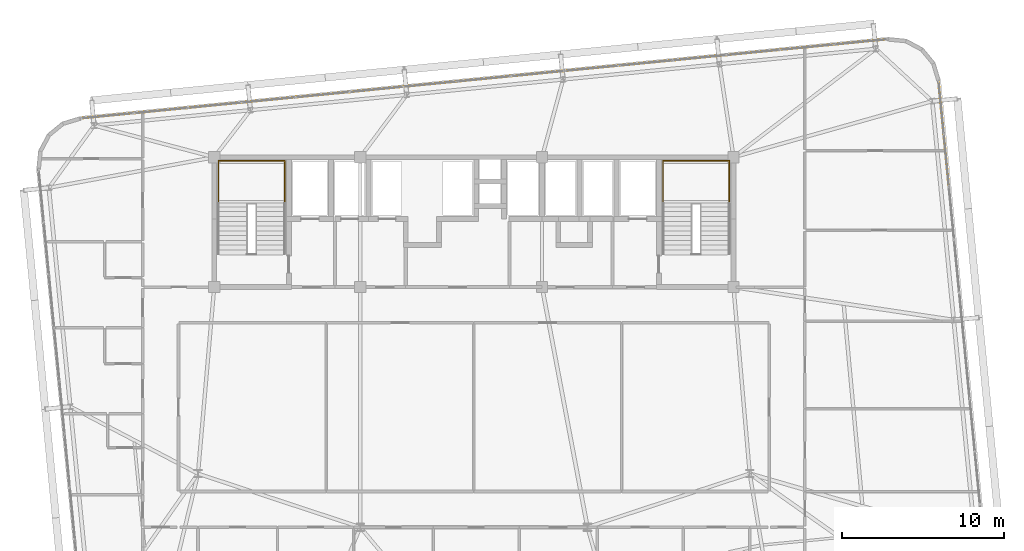
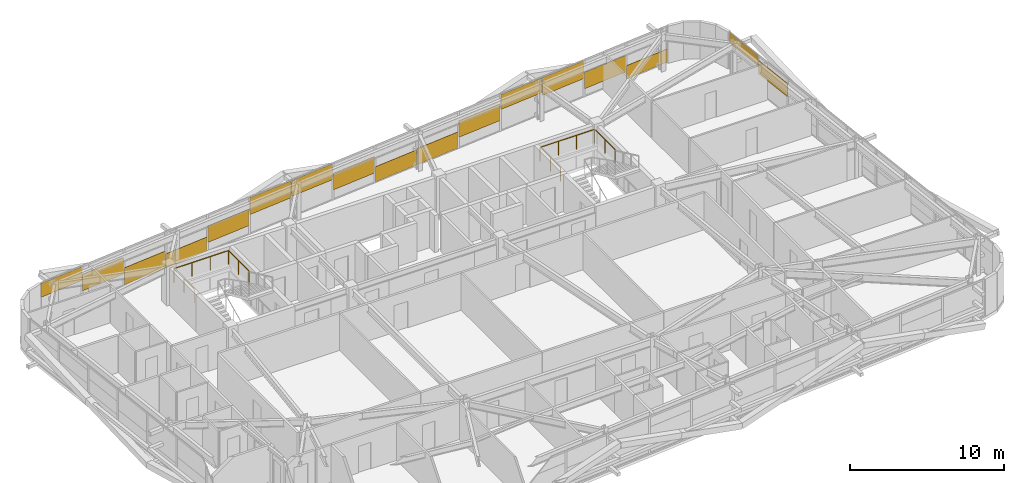
# One storey, part 53 of 53: 17 coverings, 2 railings.
"""IFC4 building model written with IfcOpenShell, lengths in metres."""

from ifc_helpers import new_model, si_unit, direction, frame, origin, origin_2d, place, context, subcontext, project, spatial, rectangle, extrude, source, transform, mapped, material, layer, layer_set, type_object, element, save


model = new_model("IFC4")

# Units and contexts
model_context = context("Model", 3, precision=1e-05, world=origin(), true_north=direction((0.0, 1.0)))
body_context = subcontext(model_context, "Body", "Model", "MODEL_VIEW")
ifc_project = project(units=[si_unit("LENGTHUNIT", "METRE"), si_unit("AREAUNIT", "SQUARE_METRE"), si_unit("VOLUMEUNIT", "CUBIC_METRE"), si_unit("PLANEANGLEUNIT", "RADIAN"), si_unit("MASSUNIT", "GRAM", prefix="KILO")], contexts=[model_context])

# Site, building, storey
site_placement = place(None, origin())
site = spatial("IfcSite", under=ifc_project, at=site_placement, CompositionType="ELEMENT")
building_placement = place(site_placement, origin())
building = spatial("IfcBuilding", under=site, at=building_placement, Name="Taldren Reach Tower", CompositionType="ELEMENT")
storey_placement = place(building_placement, frame((0.0, 0.0, 71.39990234375)))
storey = spatial("IfcBuildingStorey", under=building, at=storey_placement, Name="L21", CompositionType="ELEMENT", Elevation=71.39990234375)

# Railings
ifc_material_1 = material(Name="Steel Gr 350 (C350L0)", Category="steel")
ifc_layer_1 = layer(ifc_material_1, 0.050048828125)
ifc_layer_set_1 = layer_set([ifc_layer_1], Name="Steel Gr 350 (C350L0)")
railing_type = type_object("IfcRailingType", Name="RL-STAIR-GR", PredefinedType="GUARDRAIL", material=ifc_layer_set_1)
for number, where, name in (
    (1, (19.260009765625, 29.135009765625, 1.5751953125), "Stair half-landing perimeter guard ST1-L21"),
    (2, (46.659912109375, 29.135009765625, 1.5751953125), "Stair half-landing perimeter guard ST2-L21"),
):
    element("IfcRailing", number, at=place(storey_placement, frame(where)), inside=storey, type_object=railing_type, Name=name, PredefinedType="GUARDRAIL", context=body_context, shape_type="SweptSolid", body=[
        extrude(rectangle(XDim=0.047852, YDim=0.047852, at=origin_2d()), frame((0.0, 0.0, 1.09619140625), z_axis=(0.0, 1.0, 0.0), x_axis=(-1.0, 0.0, 0.0)), (0.0, 0.0, 1.0), 2.64501953125),
        extrude(rectangle(XDim=0.047852, YDim=0.047852, at=origin_2d()), frame((0.0, 2.64501953125, 1.09619140625), z_axis=(1.0, 0.0, 0.0), x_axis=(0.0, 1.0, 0.0)), (0.0, 0.0, 1.0), 4.080078125),
        extrude(rectangle(XDim=0.047852, YDim=0.047852, at=origin_2d()), frame((4.080078125, 2.64501953125, 1.09619140625), z_axis=(0.0, -1.0, 0.0), x_axis=(1.0, 0.0, 0.0)), (0.0, 0.0, 1.0), 2.64501953125),
        extrude(rectangle(XDim=0.041992, YDim=0.041992, at=origin_2d()), origin(), (0.0, 0.0, 1.0), 1.072021484375),
        extrude(rectangle(XDim=0.041992, YDim=0.041992, at=origin_2d()), frame((0.0, 1.322509765625, 0.0)), (0.0, 0.0, 1.0), 1.072021484375),
        extrude(rectangle(XDim=0.041992, YDim=0.041992, at=origin_2d()), frame((0.0, 2.64501953125, 0.0)), (0.0, 0.0, 1.0), 1.072021484375),
        extrude(rectangle(XDim=0.041992, YDim=0.041992, at=origin_2d()), frame((1.360107421875, 2.64501953125, 0.0)), (0.0, 0.0, 1.0), 1.072021484375),
        extrude(rectangle(XDim=0.041992, YDim=0.041992, at=origin_2d()), frame((2.719970703125, 2.64501953125, 0.0)), (0.0, 0.0, 1.0), 1.072021484375),
        extrude(rectangle(XDim=0.041992, YDim=0.041992, at=origin_2d()), frame((4.080078125, 2.64501953125, 0.0)), (0.0, 0.0, 1.0), 1.072021484375),
        extrude(rectangle(XDim=0.041992, YDim=0.041992, at=origin_2d()), frame((4.080078125, 1.322509765625, 0.0)), (0.0, 0.0, 1.0), 1.072021484375),
        extrude(rectangle(XDim=0.041992, YDim=0.041992, at=origin_2d()), frame((4.080078125, 0.0, 0.0)), (0.0, 0.0, 1.0), 1.072021484375),
    ])

# Coverings
ifc_material_2 = material(Name="Pale Champagne Fluoropolymer Aluminium Spandrel Cladding", Category="aluminium")
ifc_layer_2 = layer(ifc_material_2, 0.0439453125)
ifc_layer_set_2 = layer_set([ifc_layer_2], Name="Pale Champagne Fluoropolymer Aluminium Spandrel Cladding")
covering_type = type_object("IfcCoveringType", Name="CV-CLAD-044", PredefinedType="CLADDING", material=ifc_layer_set_2)
shared_shape_1 = source(origin(), body_context, "Body", "SweptSolid", [
    extrude(rectangle(XDim=3.23583984375, YDim=0.0439453125, at=origin_2d()), origin(), (0.0, 0.0, 1.0), 1.094970703125),
])
covering_1_placement = place(storey_placement, frame((12.42578125, 34.550537109375, 1.7802734375), z_axis=(0.0, 0.0, 1.0), x_axis=(-0.995227390247, -0.097582999046, 0.0)))
element("IfcCovering", 3, at=covering_1_placement, inside=storey, type_object=covering_type, Name="Diagrid closure cladding strip CW-3 panel 15.1 1", PredefinedType="CLADDING", context=body_context, shape_type="MappedRepresentation", body=[
    mapped(shared_shape_1, transform((0.0, 0.0, 0.0), scale=1.0)),
])
shared_shape_2 = source(origin(), body_context, "Body", "SweptSolid", [
    extrude(rectangle(XDim=3.268310546875, YDim=0.0439453125, at=origin_2d()), origin(), (0.0, 0.0, 1.0), 1.3046875),
])
for number, where, z_axis, x_axis, name in (
    (4, (55.5361328125, 38.777587890625, 0.6220703125), (0.0, 0.0, 1.0), (-0.995227390247, -0.097582999046, 0.0), "Diagrid closure cladding strip CW-3 panel 2.1 1"),
    (5, (45.583740234375, 37.8017578125, 0.863037109375), (0.0, 0.0, 1.0), (-0.995227390247, -0.097582999046, 0.0), "Diagrid closure cladding strip CW-3 panel 5.1 1"),
    (6, (35.631591796875, 36.825927734375, 0.78271484375), (0.0, 0.0, 1.0), (-0.995227390247, -0.097582999046, 0.0), "Diagrid closure cladding strip CW-3 panel 8.1 1"),
    (7, (25.67919921875, 35.85009765625, 0.702392578125), (0.0, 0.0, 1.0), (-0.995227390247, -0.097582999046, 0.0), "Diagrid closure cladding strip CW-3 panel 11.1 1"),
    (8, (15.72705078125, 34.874267578125, 0.943359375), (0.0, 0.0, 1.0), (-0.995227390247, -0.097582999046, 0.0), "Diagrid closure cladding strip CW-3 panel 14.1 1"),
):
    element("IfcCovering", number, at=place(storey_placement, frame(where, z_axis=z_axis, x_axis=x_axis)), inside=storey, type_object=covering_type, Name=name, PredefinedType="CLADDING", context=body_context, shape_type="MappedRepresentation", body=[
        mapped(shared_shape_2, transform((0.0, 0.0, 0.0), scale=1.0)),
    ])
shared_shape_3 = source(origin(), body_context, "Body", "SweptSolid", [
    extrude(rectangle(XDim=3.268310546875, YDim=0.0439453125, at=origin_2d()), origin(), (0.0, 0.0, 1.0), 1.356201171875),
])
covering_2_placement = place(storey_placement, frame((19.04443359375, 35.199462890625, 0.05517578125), z_axis=(0.0, 0.0, 1.0), x_axis=(-0.995227390247, -0.097582999046, 0.0)))
element("IfcCovering", 9, at=covering_2_placement, inside=storey, type_object=covering_type, Name="Diagrid closure cladding strip CW-3 panel 13.1 1", PredefinedType="CLADDING", context=body_context, shape_type="MappedRepresentation", body=[
    mapped(shared_shape_3, transform((0.0, 0.0, 0.0), scale=1.0)),
])
shared_shape_4 = source(origin(), body_context, "Body", "SweptSolid", [
    extrude(rectangle(XDim=3.268310546875, YDim=0.0439453125, at=origin_2d()), origin(), (0.0, 0.0, 1.0), 1.115234375),
])
covering_3_placement = place(storey_placement, frame((22.36181640625, 35.52490234375, 0.05517578125), z_axis=(0.0, 0.0, 1.0), x_axis=(-0.995227390247, -0.097582999046, 0.0)))
element("IfcCovering", 10, at=covering_3_placement, inside=storey, type_object=covering_type, Name="Diagrid closure cladding strip CW-3 panel 12.1 1", PredefinedType="CLADDING", context=body_context, shape_type="MappedRepresentation", body=[
    mapped(shared_shape_4, transform((0.0, 0.0, 0.0), scale=1.0)),
])
shared_shape_5 = source(origin(), body_context, "Body", "SweptSolid", [
    extrude(rectangle(XDim=3.268310546875, YDim=0.0439453125, at=origin_2d()), origin(), (0.0, 0.0, 1.0), 1.3359375),
])
covering_4_placement = place(storey_placement, frame((28.996826171875, 36.17529296875, 1.5390625), z_axis=(0.0, 0.0, 1.0), x_axis=(-0.995227390247, -0.097582999046, 0.0)))
element("IfcCovering", 11, at=covering_4_placement, inside=storey, type_object=covering_type, Name="Diagrid closure cladding strip CW-3 panel 10.1 1", PredefinedType="CLADDING", context=body_context, shape_type="MappedRepresentation", body=[
    mapped(shared_shape_5, transform((0.0, 0.0, 0.0), scale=1.0)),
])
shared_shape_6 = source(origin(), body_context, "Body", "SweptSolid", [
    extrude(rectangle(XDim=3.268310546875, YDim=0.0439453125, at=origin_2d()), origin(), (0.0, 0.0, 1.0), 1.255615234375),
])
covering_5_placement = place(storey_placement, frame((32.314208984375, 36.500732421875, 1.61962890625), z_axis=(0.0, 0.0, 1.0), x_axis=(-0.995227390247, -0.097582999046, 0.0)))
element("IfcCovering", 12, at=covering_5_placement, inside=storey, type_object=covering_type, Name="Diagrid closure cladding strip CW-3 panel 9.1 1", PredefinedType="CLADDING", context=body_context, shape_type="MappedRepresentation", body=[
    mapped(shared_shape_6, transform((0.0, 0.0, 0.0), scale=1.0)),
])
shared_shape_7 = source(origin(), body_context, "Body", "SweptSolid", [
    extrude(rectangle(XDim=3.268310546875, YDim=0.0439453125, at=origin_2d()), origin(), (0.0, 0.0, 1.0), 1.195556640625),
])
covering_6_placement = place(storey_placement, frame((38.948974609375, 37.151123046875, 0.05517578125), z_axis=(0.0, 0.0, 1.0), x_axis=(-0.995227390247, -0.097582999046, 0.0)))
element("IfcCovering", 13, at=covering_6_placement, inside=storey, type_object=covering_type, Name="Diagrid closure cladding strip CW-3 panel 7.1 1", PredefinedType="CLADDING", context=body_context, shape_type="MappedRepresentation", body=[
    mapped(shared_shape_7, transform((0.0, 0.0, 0.0), scale=1.0)),
])
shared_shape_8 = source(origin(), body_context, "Body", "SweptSolid", [
    extrude(rectangle(XDim=3.268310546875, YDim=0.0439453125, at=origin_2d()), origin(), (0.0, 0.0, 1.0), 1.27587890625),
])
covering_7_placement = place(storey_placement, frame((42.266357421875, 37.4765625, 0.05517578125), z_axis=(0.0, 0.0, 1.0), x_axis=(-0.995227390247, -0.097582999046, 0.0)))
element("IfcCovering", 14, at=covering_7_placement, inside=storey, type_object=covering_type, Name="Diagrid closure cladding strip CW-3 panel 6.1 1", PredefinedType="CLADDING", context=body_context, shape_type="MappedRepresentation", body=[
    mapped(shared_shape_8, transform((0.0, 0.0, 0.0), scale=1.0)),
])
shared_shape_9 = source(origin(), body_context, "Body", "SweptSolid", [
    extrude(rectangle(XDim=3.268310546875, YDim=0.0439453125, at=origin_2d()), origin(), (0.0, 0.0, 1.0), 1.17529296875),
])
covering_8_placement = place(storey_placement, frame((48.9013671875, 38.126953125, 1.69970703125), z_axis=(0.0, 0.0, 1.0), x_axis=(-0.995227390247, -0.097582999046, 0.0)))
element("IfcCovering", 15, at=covering_8_placement, inside=storey, type_object=covering_type, Name="Diagrid closure cladding strip CW-3 panel 4.1 1", PredefinedType="CLADDING", context=body_context, shape_type="MappedRepresentation", body=[
    mapped(shared_shape_9, transform((0.0, 0.0, 0.0), scale=1.0)),
])
shared_shape_10 = source(origin(), body_context, "Body", "SweptSolid", [
    extrude(rectangle(XDim=3.268310546875, YDim=0.0439453125, at=origin_2d()), origin(), (0.0, 0.0, 1.0), 1.416259765625),
])
covering_9_placement = place(storey_placement, frame((52.21875, 38.452392578125, 1.458984375), z_axis=(0.0, 0.0, 1.0), x_axis=(-0.995227390247, -0.097582999046, 0.0)))
element("IfcCovering", 16, at=covering_9_placement, inside=storey, type_object=covering_type, Name="Diagrid closure cladding strip CW-3 panel 3.1 1", PredefinedType="CLADDING", context=body_context, shape_type="MappedRepresentation", body=[
    mapped(shared_shape_10, transform((0.0, 0.0, 0.0), scale=1.0)),
])
shared_shape_11 = source(origin(), body_context, "Body", "SweptSolid", [
    extrude(rectangle(XDim=3.23583984375, YDim=0.0439453125, at=origin_2d()), origin(), (0.0, 0.0, 1.0), 1.034912109375),
])
covering_10_placement = place(storey_placement, frame((58.83740234375, 39.101318359375, 0.05517578125), z_axis=(0.0, 0.0, 1.0), x_axis=(-0.995227390247, -0.097582999046, 0.0)))
element("IfcCovering", 17, at=covering_10_placement, inside=storey, type_object=covering_type, Name="Diagrid closure cladding strip CW-3 panel 1.1 1", PredefinedType="CLADDING", context=body_context, shape_type="MappedRepresentation", body=[
    mapped(shared_shape_11, transform((0.0, 0.0, 0.0), scale=1.0)),
])
shared_shape_12 = source(origin(), body_context, "Body", "SweptSolid", [
    extrude(rectangle(XDim=3.18017578125, YDim=0.0439453125, at=origin_2d()), origin(), (0.0, 0.0, 1.0), 0.83056640625),
])
covering_11_placement = place(storey_placement, frame((63.79931640625, 35.051025390625, 2.044677734375), z_axis=(0.0, 0.0, 1.0), x_axis=(-0.09758274098, 0.99522741555, 0.0)))
element("IfcCovering", 18, at=covering_11_placement, inside=storey, type_object=covering_type, Name="Diagrid closure cladding strip CW-3 panel 9.1 1", PredefinedType="CLADDING", context=body_context, shape_type="MappedRepresentation", body=[
    mapped(shared_shape_12, transform((0.0, 0.0, 0.0), scale=1.0)),
])
shared_shape_13 = source(origin(), body_context, "Body", "SweptSolid", [
    extrude(rectangle(XDim=3.212890625, YDim=0.0439453125, at=origin_2d()), origin(), (0.0, 0.0, 1.0), 1.053466796875),
])
covering_12_placement = place(storey_placement, frame((64.117431640625, 31.80517578125, 1.45703125), z_axis=(0.0, 0.0, 1.0), x_axis=(-0.09758274098, 0.99522741555, 0.0)))
element("IfcCovering", 19, at=covering_12_placement, inside=storey, type_object=covering_type, Name="Diagrid closure cladding strip CW-3 panel 8.1 1", PredefinedType="CLADDING", context=body_context, shape_type="MappedRepresentation", body=[
    mapped(shared_shape_13, transform((0.0, 0.0, 0.0), scale=1.0)),
])

save(model, "model.ifc")
